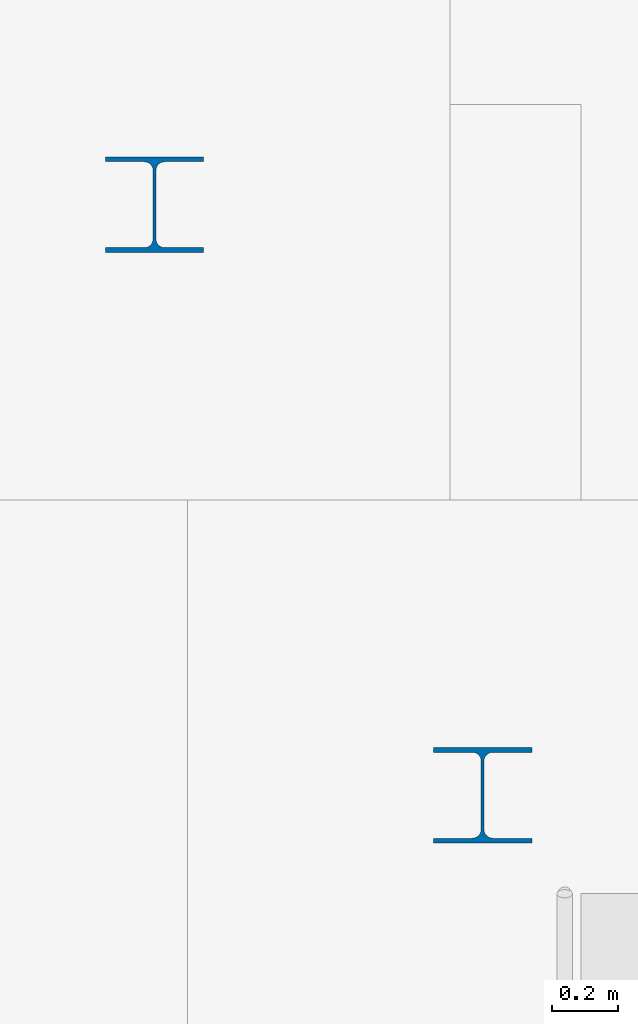
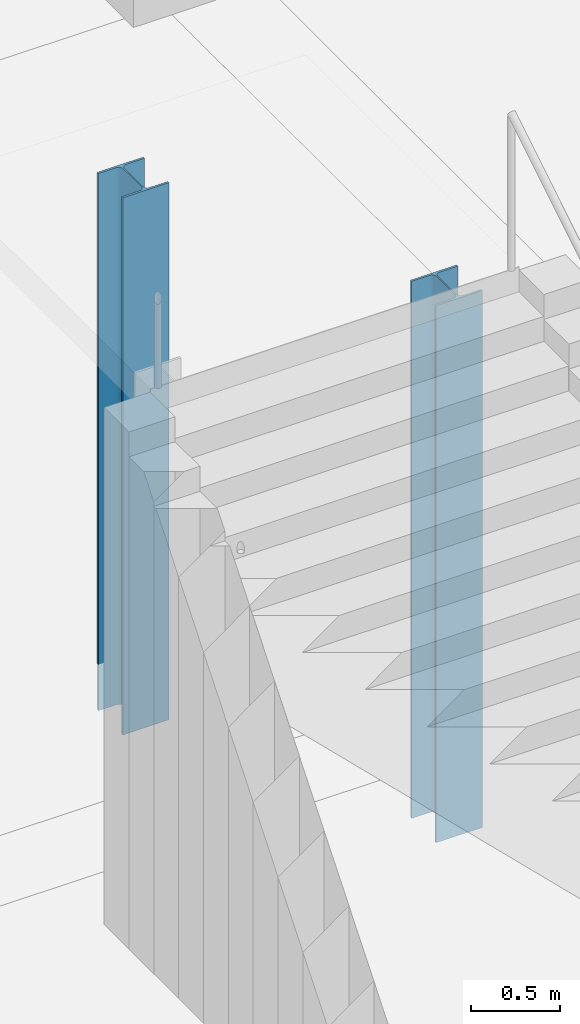
# One storey, part 37 of 148: 2 columns.
"""IFC4 building model written with IfcOpenShell, lengths in metres."""

import ifcopenshell
import ifcopenshell.guid

model = None  # the IFC model being written
_history = None  # IfcOwnerHistory: only IFC2X3 demands one
_inside = {}  # id of a spatial element -> (the spatial element, [elements in it])
_under = {}  # id of a project, library or spatial element -> (it, [spatial elements below it])
_declared = {}  # id of a project -> (the project, [libraries it declares])
_typed = {}  # id of a type object -> (the type object, [elements of that type])
_made_of = {}  # id of a material, layer set ... -> (it, [elements and type objects made of it])


def new_model(schema):
    """Start an empty IFC model of exactly this schema.

    Asked for "IFC4X3", IfcOpenShell would pick the latest addendum, in which some entities
    have other attributes; the version numbers below select the first issue.
    IFC2X3 requires an IfcOwnerHistory on every rooted entity: one is made here for all.
    """
    global model, _history
    if schema == "IFC4X3":
        model = ifcopenshell.file(schema_version=(4, 3, 0, 0))
    else:
        model = ifcopenshell.file(schema=schema)
    _inside.clear()
    _under.clear()
    _declared.clear()
    _typed.clear()
    _made_of.clear()
    _history = None
    if model.schema == "IFC2X3":
        org = make("IfcOrganization", Name="unknown")
        user = make(
            "IfcPersonAndOrganization",
            ThePerson=make("IfcPerson", FamilyName="unknown"),
            TheOrganization=org,
        )
        app = make(
            "IfcApplication",
            ApplicationDeveloper=org,
            Version="unknown",
            ApplicationFullName="unknown",
            ApplicationIdentifier="unknown",
        )
        _history = make(
            "IfcOwnerHistory",
            OwningUser=user,
            OwningApplication=app,
            ChangeAction="ADDED",
            CreationDate=0,
        )
    return model


def make(cls, **values):
    """One entity of the class cls with the attributes given. An attribute that is None is left unset."""
    return model.create_entity(
        cls, **{name: value for name, value in values.items() if value is not None}
    )


def rooted(cls, **values):
    """An entity with a GlobalId (a new one), such as an element, a storey or a relation."""
    return make(cls, GlobalId=ifcopenshell.guid.new(), OwnerHistory=_history, **values)


def si_unit(unit_type, name, prefix=None):
    """IfcSIUnit, for example si_unit("LENGTHUNIT", "METRE", prefix="MILLI")."""
    return make("IfcSIUnit", UnitType=unit_type, Prefix=prefix, Name=name)


def assignment(units):
    """IfcUnitAssignment: the units of a project."""
    return None if units is None else make("IfcUnitAssignment", Units=units)


def point(xyz):
    """IfcCartesianPoint."""
    return None if xyz is None else make("IfcCartesianPoint", Coordinates=xyz)


def direction(xyz):
    """IfcDirection."""
    return None if xyz is None else make("IfcDirection", DirectionRatios=xyz)


def frame(location, z_axis=None, x_axis=None):
    """IfcAxis2Placement3D, a coordinate frame: its origin and axes. An axis left out is left unset."""
    return make(
        "IfcAxis2Placement3D",
        Location=point(location),
        Axis=direction(z_axis),
        RefDirection=direction(x_axis),
    )


def frame_2d(location, x_axis=None):
    """IfcAxis2Placement2D, a coordinate frame in the plane: its origin and x axis."""
    return make(
        "IfcAxis2Placement2D", Location=point(location), RefDirection=direction(x_axis)
    )


def origin():
    """The frame at (0, 0, 0) with its axes left unset."""
    return frame((0.0, 0.0, 0.0))


def origin_2d():
    """The frame at (0, 0) in the plane with its x axis left unset."""
    return frame_2d((0.0, 0.0))


def place(relative_to, where):
    """IfcLocalPlacement: puts the frame where relative to a parent placement (None: the world)."""
    return make(
        "IfcLocalPlacement", PlacementRelTo=relative_to, RelativePlacement=where
    )


def context(
    kind, dimensions, precision=None, world=None, true_north=None, identifier=None
):
    """IfcGeometricRepresentationContext, for example the 3D "Model" context."""
    return make(
        "IfcGeometricRepresentationContext",
        ContextIdentifier=identifier,
        ContextType=kind,
        CoordinateSpaceDimension=dimensions,
        Precision=precision,
        WorldCoordinateSystem=world,
        TrueNorth=true_north,
    )


def subcontext(parent, identifier, kind, view, scale=None):
    """IfcGeometricRepresentationSubContext, for example "Body" below "Model"."""
    return make(
        "IfcGeometricRepresentationSubContext",
        ContextIdentifier=identifier,
        ContextType=kind,
        ParentContext=parent,
        TargetScale=scale,
        TargetView=view,
    )


def project(units=None, contexts=None):
    """IfcProject with its units and contexts."""
    return rooted(
        "IfcProject",
        Name="project",
        RepresentationContexts=contexts,
        UnitsInContext=assignment(units),
    )


def spatial(cls, under=None, at=None, **own):
    """A site, building, storey or space (cls), placed at a placement, below another one or the project."""
    s = rooted(cls, ObjectPlacement=at, **own)
    if under is not None:
        _under.setdefault(under.id(), (under, []))[1].append(s)
    return s


def profile(cls, at=None, kind="AREA", **sizes):
    """A parametric profile (cls). Its sizes go by their IFC names, for example OverallWidth=200.0."""
    return make(cls, ProfileType=kind, Position=at, **sizes)


def i_section(**sizes):
    """IfcIShapeProfileDef."""
    return profile("IfcIShapeProfileDef", **sizes)


def extrude(swept, where, along, depth):
    """IfcExtrudedAreaSolid: the profile swept, set in the frame where, extruded along a direction by depth."""
    return make(
        "IfcExtrudedAreaSolid",
        SweptArea=swept,
        Position=where,
        ExtrudedDirection=direction(along),
        Depth=depth,
    )


def shape(context_of_items, identifier, shape_type, items):
    """IfcShapeRepresentation: the items that make up one representation, for example the "Body"."""
    return make(
        "IfcShapeRepresentation",
        ContextOfItems=context_of_items,
        RepresentationIdentifier=identifier,
        RepresentationType=shape_type,
        Items=items,
    )


def material(Name=None, Category=None):
    """IfcMaterial."""
    return make("IfcMaterial", Name=Name, Category=Category)


def material_profile(
    of_material, cross_section, Name=None, Category=None, Priority=None
):
    """IfcMaterialProfile: a cross section and its material."""
    return make(
        "IfcMaterialProfile",
        Name=Name,
        Material=of_material,
        Profile=cross_section,
        Priority=Priority,
        Category=Category,
    )


def profile_set(profiles, Name=None, composite=None):
    """IfcMaterialProfileSet."""
    return make(
        "IfcMaterialProfileSet",
        Name=Name,
        MaterialProfiles=profiles,
        CompositeProfile=composite,
    )


def made_of(thing, what):
    """Note that an element or type object is made of a material, layer set ...; save() writes the relation."""
    if what is not None:
        _made_of.setdefault(what.id(), (what, []))[1].append(thing)
    return thing


def type_object(cls, material=None, **own):
    """A type object (cls), such as IfcWallType, which elements share."""
    return made_of(rooted(cls, **own), material)


def element(
    cls,
    number,
    at=None,
    inside=None,
    cuts=None,
    type_object=None,
    material=None,
    context=None,
    identifier="Body",
    shape_type=None,
    held_by="IfcProductDefinitionShape",
    body=None,
    shapes=None,
    **own,
):
    """One element of the class cls, such as IfcWall. Its Tag is "e" and its number.

    at: its placement. inside: the storey or other place that contains it. cuts: it is an
    opening in that element (IfcRelVoidsElement). A single representation is given by context,
    identifier, shape_type and body (its items); several are given by shapes. held_by: the class
    of the entity that holds the representations. save() writes the other relations.
    """
    e = rooted(cls, Tag="e%d" % number, ObjectPlacement=at, **own)
    if body is not None:
        shapes = [shape(context, identifier, shape_type, body)]
    if shapes is not None:
        e.Representation = make(held_by, Representations=shapes)
    if inside is not None:
        _inside.setdefault(inside.id(), (inside, []))[1].append(e)
    if cuts is not None:
        rooted(
            "IfcRelVoidsElement", RelatingBuildingElement=cuts, RelatedOpeningElement=e
        )
    if type_object is not None:
        _typed.setdefault(type_object.id(), (type_object, []))[1].append(e)
    return made_of(e, material)


def aggregate(whole, parts):
    """IfcRelAggregates: a whole, such as a stair, and the parts it consists of."""
    return rooted("IfcRelAggregates", RelatingObject=whole, RelatedObjects=parts)


def save(model, path):
    """Write the relations noted so far, then the file.

    IfcRelAggregates (storeys below a building ...), IfcRelContainedInSpatialStructure (elements
    in a storey), IfcRelDefinesByType, IfcRelAssociatesMaterial and IfcRelDeclares: one each for
    every whole, place, type object, material and project.
    """
    for whole, parts in _under.values():
        aggregate(whole, parts)
    for where, things in _inside.values():
        rooted(
            "IfcRelContainedInSpatialStructure",
            RelatedElements=things,
            RelatingStructure=where,
        )
    for kind, things in _typed.values():
        rooted("IfcRelDefinesByType", RelatedObjects=things, RelatingType=kind)
    for what, things in _made_of.values():
        rooted("IfcRelAssociatesMaterial", RelatedObjects=things, RelatingMaterial=what)
    for by, libraries in _declared.values():
        rooted("IfcRelDeclares", RelatingContext=by, RelatedDefinitions=libraries)
    model.write(path)


model = new_model("IFC4")

# Units and contexts
model_context = context("Model", 3, precision=1e-05, world=origin(), true_north=direction((0.0, 1.0)))
body_context = subcontext(model_context, "Body", "Model", "MODEL_VIEW")
ifc_project = project(units=[si_unit("LENGTHUNIT", "METRE"), si_unit("AREAUNIT", "SQUARE_METRE"), si_unit("VOLUMEUNIT", "CUBIC_METRE"), si_unit("PLANEANGLEUNIT", "RADIAN"), si_unit("MASSUNIT", "GRAM", prefix="KILO")], contexts=[model_context])

# Site, building, storey
site_placement = place(None, origin())
site = spatial("IfcSite", under=ifc_project, at=site_placement, CompositionType="ELEMENT")
building_placement = place(site_placement, origin())
building = spatial("IfcBuilding", under=site, at=building_placement, Name="Kupolbacken Congress Centre", CompositionType="ELEMENT")
storey_placement = place(building_placement, origin())
storey = spatial("IfcBuildingStorey", under=building, at=storey_placement, Name="L00", CompositionType="ELEMENT", Elevation=0.0)

# Columns
ifc_material = material(Name="Steel S355", Category="steel")
ifc_material_profile = material_profile(ifc_material, i_section(OverallWidth=0.300048828125, OverallDepth=0.2900390625, WebThickness=0.008544921875, FlangeThickness=0.013916015625, FilletRadius=0.027099609375, at=origin_2d()), Name="HEA 300")
ifc_profile_set = profile_set([ifc_material_profile], Name="Steel S355")
column_type = type_object("IfcColumnType", Name="C09 column HEA 300", PredefinedType="COLUMN", material=ifc_profile_set)
for number, where, z_axis, x_axis, name in (
    (1, (40.5, 13.949951171875, -0.300048828125), (0.0, 0.0, 1.0), (1.0, 0.0, 0.0), "C/xcol/XS4/2/L00"),
    (2, (39.5, 15.75, -0.300048828125), (0.0, 0.0, 1.0), (1.0, 0.0, 0.0), "C/xcol/XS4/3/L00"),
):
    element("IfcColumn", number, at=place(storey_placement, frame(where, z_axis=z_axis, x_axis=x_axis)), inside=storey, type_object=column_type, Name=name, PredefinedType="COLUMN", context=body_context, shape_type="SweptSolid", body=[
        extrude(i_section(OverallWidth=0.300048828125, OverallDepth=0.2900390625, WebThickness=0.008544921875, FlangeThickness=0.013916015625, FilletRadius=0.027099609375, at=origin_2d()), origin(), (0.0, 0.0, 1.0), 3.695068359375),
    ])

save(model, "model.ifc")
